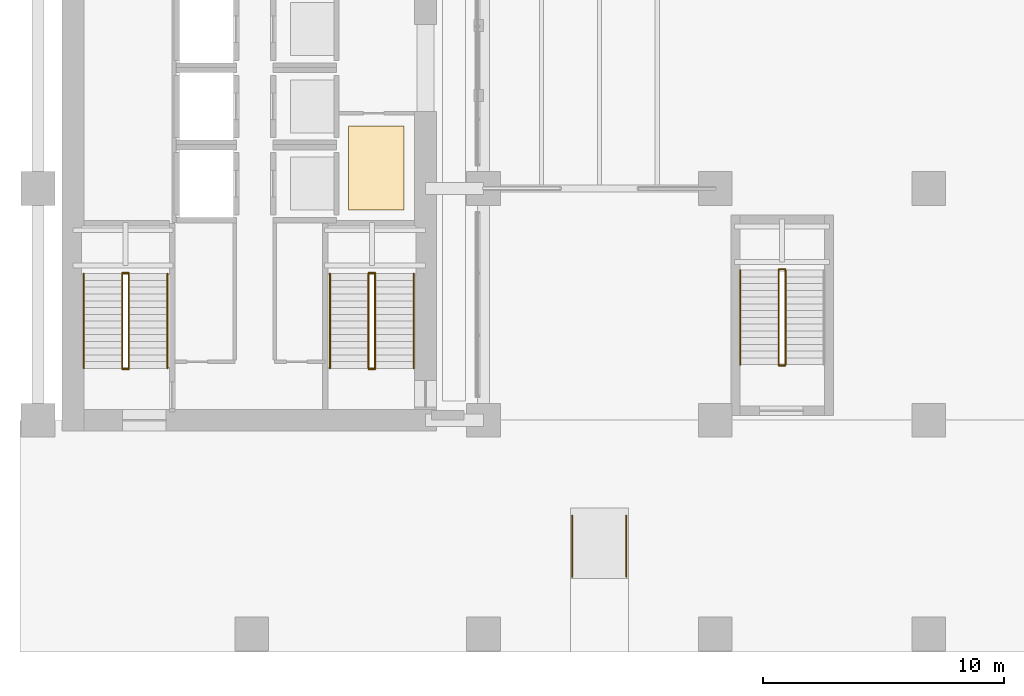
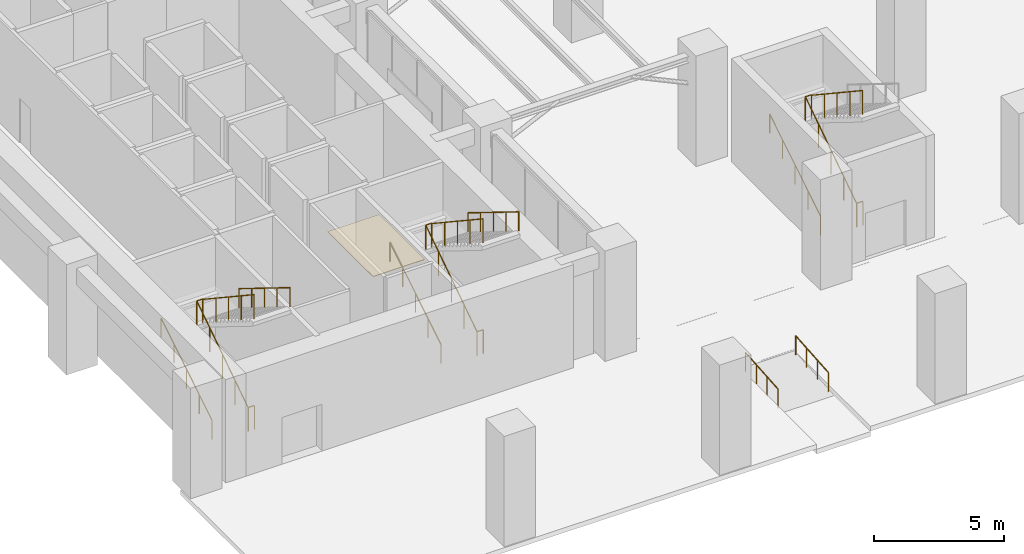
# One storey, part 17 of 24: 19 railings, 1 covering.
"""IFC4 building model written with IfcOpenShell, lengths in metres."""

from ifc_helpers import new_model, si_unit, direction, frame, origin, origin_2d, place, context, subcontext, project, spatial, polyline, circle, outline, extrude, material, layer, layer_set, type_object, element, save


model = new_model("IFC4")

# Units and contexts
model_context = context("Model", 3, precision=1e-05, world=origin(), true_north=direction((0.0, 1.0)))
body_context = subcontext(model_context, "Body", "Model", "MODEL_VIEW")
ifc_project = project(units=[si_unit("LENGTHUNIT", "METRE"), si_unit("AREAUNIT", "SQUARE_METRE"), si_unit("VOLUMEUNIT", "CUBIC_METRE"), si_unit("PLANEANGLEUNIT", "RADIAN"), si_unit("MASSUNIT", "GRAM", prefix="KILO")], contexts=[model_context])

# Site, building, storey
site_placement = place(None, origin())
site = spatial("IfcSite", under=ifc_project, at=site_placement, CompositionType="ELEMENT")
building_placement = place(site_placement, origin())
building = spatial("IfcBuilding", under=site, at=building_placement, Name="Norrvale University Quadrangle", CompositionType="ELEMENT")
storey_placement = place(building_placement, origin())
storey = spatial("IfcBuildingStorey", under=building, at=storey_placement, Name="L00", CompositionType="ELEMENT", Elevation=0.0)

# Covering
ifc_material_1 = material(Name="Polished Terrazzo Flooring")
ifc_layer = layer(ifc_material_1, 0.02490234375, Name="Polished Terrazzo Flooring")
ifc_layer_set = layer_set([ifc_layer], Name="Polished Terrazzo Flooring")
covering_type = type_object("IfcCoveringType", Name="Covering Terrazzo Floor 30", PredefinedType="FLOORING", material=ifc_layer_set)
covering_placement = place(storey_placement, origin())
element("IfcCovering", 1, at=covering_placement, inside=storey, type_object=covering_type, Name="Terrazzo Flooring RM-L00-JAN", PredefinedType="FLOORING", context=body_context, shape_type="SweptSolid", body=[
    extrude(outline(polyline([(13.60009765625, 18.300048828125), (13.60009765625, 21.800048828125), (15.89990234375, 21.800048828125), (15.89990234375, 18.300048828125), (13.60009765625, 18.300048828125)])), origin(), (0.0, 0.0, 1.0), 0.02490234375),
])

# Railings
ifc_material_2 = material(Name="Steel 350W Painted Balustrade", Category="steel")
railing_type_1 = type_object("IfcRailingType", Name="Railing Stair Guard 1100", PredefinedType="GUARDRAIL", material=ifc_material_2)
for number, where, name in (
    (2, (4.239990234375, 11.719970703125, 0.0), "Stair Floor Well Guard ST-01 L00"),
    (3, (4.239990234375, 15.699951171875, 2.60009765625), "Stair Mid-Landing Slot Guard ST-01 L00"),
):
    element("IfcRailing", number, at=place(storey_placement, frame(where)), inside=storey, type_object=railing_type_1, Name=name, PredefinedType="GUARDRAIL", context=body_context, shape_type="SweptSolid", body=[
        extrude(circle(Radius=0.02392578125, at=origin_2d()), frame((0.0, 0.0, 1.1259765625), z_axis=(1.0, 0.0, 0.0), x_axis=(0.0, 1.0, 0.0)), (0.0, 0.0, 1.0), 0.27001953125),
        extrude(circle(Radius=0.02099609375, at=origin_2d()), origin(), (0.0, 0.0, 1.0), 1.101806640625),
        extrude(circle(Radius=0.02099609375, at=origin_2d()), frame((0.27001953125, 0.0, 0.0)), (0.0, 0.0, 1.0), 1.101806640625),
    ])
railing_1_placement = place(storey_placement, frame((4.239990234375, 11.75, 0.0)))
element("IfcRailing", 4, at=railing_1_placement, inside=storey, type_object=railing_type_1, Name="Stair Lower Flight Inner Guard ST-01 L00", PredefinedType="GUARDRAIL", context=body_context, shape_type="SweptSolid", body=[
    extrude(circle(Radius=0.02392578125, at=origin_2d()), frame((0.0, 0.0, 1.1259765625), z_axis=(0.0, 0.833341594215, 0.552758344444), x_axis=(-1.0, 0.0, 0.0)), (0.0, 0.0, 1.0), 4.703857421875),
    extrude(circle(Radius=0.02099609375, at=origin_2d()), origin(), (0.0, 0.0, 1.0), 1.101806640625),
    extrude(circle(Radius=0.02099609375, at=origin_2d()), frame((0.0, 0.97998046875, 0.64990234375)), (0.0, 0.0, 1.0), 1.101806640625),
    extrude(circle(Radius=0.02099609375, at=origin_2d()), frame((0.0, 1.9599609375, 1.300048828125)), (0.0, 0.0, 1.0), 1.101806640625),
    extrude(circle(Radius=0.02099609375, at=origin_2d()), frame((0.0, 2.93994140625, 1.9501953125)), (0.0, 0.0, 1.0), 1.101806640625),
    extrude(circle(Radius=0.02099609375, at=origin_2d()), frame((0.0, 3.919921875, 2.60009765625)), (0.0, 0.0, 1.0), 1.101806640625),
])
railing_2_placement = place(storey_placement, frame((4.510009765625, 15.669921875, 2.60009765625)))
element("IfcRailing", 5, at=railing_2_placement, inside=storey, type_object=railing_type_1, Name="Stair Upper Flight Inner Guard ST-01 L00", PredefinedType="GUARDRAIL", context=body_context, shape_type="SweptSolid", body=[
    extrude(circle(Radius=0.02392578125, at=origin_2d()), frame((0.0, 0.0, 1.1259765625), z_axis=(0.0, -0.833365502166, 0.552722298989), x_axis=(1.0, 0.0, 0.0)), (0.0, 0.0, 1.0), 4.70361328125),
    extrude(circle(Radius=0.02099609375, at=origin_2d()), origin(), (0.0, 0.0, 1.0), 1.101806640625),
    extrude(circle(Radius=0.02099609375, at=origin_2d()), frame((0.0, -0.97998046875, 0.64990234375)), (0.0, 0.0, 1.0), 1.101806640625),
    extrude(circle(Radius=0.02099609375, at=origin_2d()), frame((0.0, -1.9599609375, 1.2998046875)), (0.0, 0.0, 1.0), 1.101806640625),
    extrude(circle(Radius=0.02099609375, at=origin_2d()), frame((0.0, -2.93994140625, 1.949951171875)), (0.0, 0.0, 1.0), 1.101806640625),
    extrude(circle(Radius=0.02099609375, at=origin_2d()), frame((0.0, -3.919921875, 2.599853515625)), (0.0, 0.0, 1.0), 1.101806640625),
])
for number, where, name in (
    (6, (14.43994140625, 11.719970703125, 0.0), "Stair Floor Well Guard ST-03 L00"),
    (7, (14.43994140625, 15.699951171875, 2.60009765625), "Stair Mid-Landing Slot Guard ST-03 L00"),
):
    element("IfcRailing", number, at=place(storey_placement, frame(where)), inside=storey, type_object=railing_type_1, Name=name, PredefinedType="GUARDRAIL", context=body_context, shape_type="SweptSolid", body=[
        extrude(circle(Radius=0.02392578125, at=origin_2d()), frame((0.0, 0.0, 1.1259765625), z_axis=(1.0, 0.0, 0.0), x_axis=(0.0, 1.0, 0.0)), (0.0, 0.0, 1.0), 0.27001953125),
        extrude(circle(Radius=0.02099609375, at=origin_2d()), origin(), (0.0, 0.0, 1.0), 1.101806640625),
        extrude(circle(Radius=0.02099609375, at=origin_2d()), frame((0.27001953125, 0.0, 0.0)), (0.0, 0.0, 1.0), 1.101806640625),
    ])
railing_3_placement = place(storey_placement, frame((14.43994140625, 11.75, 0.0)))
element("IfcRailing", 8, at=railing_3_placement, inside=storey, type_object=railing_type_1, Name="Stair Lower Flight Inner Guard ST-03 L00", PredefinedType="GUARDRAIL", context=body_context, shape_type="SweptSolid", body=[
    extrude(circle(Radius=0.02392578125, at=origin_2d()), frame((0.0, 0.0, 1.1259765625), z_axis=(0.0, 0.833341594215, 0.552758344444), x_axis=(-1.0, 0.0, 0.0)), (0.0, 0.0, 1.0), 4.703857421875),
    extrude(circle(Radius=0.02099609375, at=origin_2d()), origin(), (0.0, 0.0, 1.0), 1.101806640625),
    extrude(circle(Radius=0.02099609375, at=origin_2d()), frame((0.0, 0.97998046875, 0.64990234375)), (0.0, 0.0, 1.0), 1.101806640625),
    extrude(circle(Radius=0.02099609375, at=origin_2d()), frame((0.0, 1.9599609375, 1.300048828125)), (0.0, 0.0, 1.0), 1.101806640625),
    extrude(circle(Radius=0.02099609375, at=origin_2d()), frame((0.0, 2.93994140625, 1.9501953125)), (0.0, 0.0, 1.0), 1.101806640625),
    extrude(circle(Radius=0.02099609375, at=origin_2d()), frame((0.0, 3.919921875, 2.60009765625)), (0.0, 0.0, 1.0), 1.101806640625),
])
railing_4_placement = place(storey_placement, frame((14.7099609375, 15.669921875, 2.60009765625)))
element("IfcRailing", 9, at=railing_4_placement, inside=storey, type_object=railing_type_1, Name="Stair Upper Flight Inner Guard ST-03 L00", PredefinedType="GUARDRAIL", context=body_context, shape_type="SweptSolid", body=[
    extrude(circle(Radius=0.02392578125, at=origin_2d()), frame((0.0, 0.0, 1.1259765625), z_axis=(0.0, -0.833365502166, 0.552722298989), x_axis=(1.0, 0.0, 0.0)), (0.0, 0.0, 1.0), 4.70361328125),
    extrude(circle(Radius=0.02099609375, at=origin_2d()), origin(), (0.0, 0.0, 1.0), 1.101806640625),
    extrude(circle(Radius=0.02099609375, at=origin_2d()), frame((0.0, -0.97998046875, 0.64990234375)), (0.0, 0.0, 1.0), 1.101806640625),
    extrude(circle(Radius=0.02099609375, at=origin_2d()), frame((0.0, -1.9599609375, 1.2998046875)), (0.0, 0.0, 1.0), 1.101806640625),
    extrude(circle(Radius=0.02099609375, at=origin_2d()), frame((0.0, -2.93994140625, 1.949951171875)), (0.0, 0.0, 1.0), 1.101806640625),
    extrude(circle(Radius=0.02099609375, at=origin_2d()), frame((0.0, -3.919921875, 2.599853515625)), (0.0, 0.0, 1.0), 1.101806640625),
])
for number, where, name in (
    (10, (31.43994140625, 11.8701171875, 0.0), "Stair Floor Well Guard ST-04 L00"),
    (11, (31.43994140625, 15.85009765625, 2.60009765625), "Stair Mid-Landing Slot Guard ST-04 L00"),
):
    element("IfcRailing", number, at=place(storey_placement, frame(where)), inside=storey, type_object=railing_type_1, Name=name, PredefinedType="GUARDRAIL", context=body_context, shape_type="SweptSolid", body=[
        extrude(circle(Radius=0.02392578125, at=origin_2d()), frame((0.0, 0.0, 1.1259765625), z_axis=(1.0, 0.0, 0.0), x_axis=(0.0, 1.0, 0.0)), (0.0, 0.0, 1.0), 0.27001953125),
        extrude(circle(Radius=0.02099609375, at=origin_2d()), origin(), (0.0, 0.0, 1.0), 1.101806640625),
        extrude(circle(Radius=0.02099609375, at=origin_2d()), frame((0.27001953125, 0.0, 0.0)), (0.0, 0.0, 1.0), 1.101806640625),
    ])
railing_5_placement = place(storey_placement, frame((31.43994140625, 11.89990234375, 0.0)))
element("IfcRailing", 12, at=railing_5_placement, inside=storey, type_object=railing_type_1, Name="Stair Lower Flight Inner Guard ST-04 L00", PredefinedType="GUARDRAIL", context=body_context, shape_type="SweptSolid", body=[
    extrude(circle(Radius=0.02392578125, at=origin_2d()), frame((0.0, 0.0, 1.1259765625), z_axis=(0.0, 0.833357451474, 0.552734437205), x_axis=(-1.0, 0.0, 0.0)), (0.0, 0.0, 1.0), 4.7041015625),
    extrude(circle(Radius=0.02099609375, at=origin_2d()), origin(), (0.0, 0.0, 1.0), 1.101806640625),
    extrude(circle(Radius=0.02099609375, at=origin_2d()), frame((0.0, 0.97998046875, 0.64990234375)), (0.0, 0.0, 1.0), 1.101806640625),
    extrude(circle(Radius=0.02099609375, at=origin_2d()), frame((0.0, 1.9599609375, 1.300048828125)), (0.0, 0.0, 1.0), 1.101806640625),
    extrude(circle(Radius=0.02099609375, at=origin_2d()), frame((0.0, 2.940185546875, 1.9501953125)), (0.0, 0.0, 1.0), 1.101806640625),
    extrude(circle(Radius=0.02099609375, at=origin_2d()), frame((0.0, 3.920166015625, 2.60009765625)), (0.0, 0.0, 1.0), 1.101806640625),
])
railing_6_placement = place(storey_placement, frame((31.7099609375, 15.820068359375, 2.60009765625)))
element("IfcRailing", 13, at=railing_6_placement, inside=storey, type_object=railing_type_1, Name="Stair Upper Flight Inner Guard ST-04 L00", PredefinedType="GUARDRAIL", context=body_context, shape_type="SweptSolid", body=[
    extrude(circle(Radius=0.02392578125, at=origin_2d()), frame((0.0, 0.0, 1.1259765625), z_axis=(0.0, -0.833381357812, 0.552698391938), x_axis=(1.0, 0.0, 0.0)), (0.0, 0.0, 1.0), 4.703857421875),
    extrude(circle(Radius=0.02099609375, at=origin_2d()), origin(), (0.0, 0.0, 1.0), 1.101806640625),
    extrude(circle(Radius=0.02099609375, at=origin_2d()), frame((0.0, -0.97998046875, 0.64990234375)), (0.0, 0.0, 1.0), 1.101806640625),
    extrude(circle(Radius=0.02099609375, at=origin_2d()), frame((0.0, -1.9599609375, 1.2998046875)), (0.0, 0.0, 1.0), 1.101806640625),
    extrude(circle(Radius=0.02099609375, at=origin_2d()), frame((0.0, -2.940185546875, 1.949951171875)), (0.0, 0.0, 1.0), 1.101806640625),
    extrude(circle(Radius=0.02099609375, at=origin_2d()), frame((0.0, -3.920166015625, 2.599853515625)), (0.0, 0.0, 1.0), 1.101806640625),
])
ifc_material_3 = material(Name="Stainless Steel 316L Handrail", Category="steel")
railing_type_2 = type_object("IfcRailingType", Name="Railing Stair Handrail 920", PredefinedType="HANDRAIL", material=ifc_material_3)
for number, where, name in (
    (14, (22.8798828125, 3.1201171875, -0.219970703125), "Accessible Plaza Ramp Handrail S1-L"),
    (15, (25.1201171875, 3.1201171875, -0.219970703125), "Accessible Plaza Ramp Handrail S1-R"),
):
    element("IfcRailing", number, at=place(storey_placement, frame(where)), inside=storey, type_object=railing_type_2, Name=name, PredefinedType="HANDRAIL", context=body_context, shape_type="SweptSolid", body=[
        extrude(circle(Radius=0.02392578125, at=origin_2d()), frame((0.0, 0.0, 0.89599609375), z_axis=(0.0, 0.996866359815, 0.079104112846), x_axis=(-1.0, 0.0, 0.0)), (0.0, 0.0, 1.0), 2.527587890625),
        extrude(circle(Radius=0.02099609375, at=origin_2d()), origin(), (0.0, 0.0, 1.0), 0.871826171875),
        extrude(circle(Radius=0.02099609375, at=origin_2d()), frame((0.0, 0.83984375, 0.066650390625)), (0.0, 0.0, 1.0), 0.871826171875),
        extrude(circle(Radius=0.02099609375, at=origin_2d()), frame((0.0, 1.679931640625, 0.13330078125)), (0.0, 0.0, 1.0), 0.871826171875),
        extrude(circle(Radius=0.02099609375, at=origin_2d()), frame((0.0, 2.519775390625, 0.199951171875)), (0.0, 0.0, 1.0), 0.871826171875),
    ])
railing_7_placement = place(storey_placement, frame((2.639892578125, 11.75, 0.17333984375)))
element("IfcRailing", 16, at=railing_7_placement, inside=storey, type_object=railing_type_2, Name="Stair Lower Flight Handrail ST-01 L00", PredefinedType="HANDRAIL", context=body_context, shape_type="SweptSolid", body=[
    extrude(circle(Radius=0.02392578125, at=origin_2d()), frame((0.0, 0.0, 0.89599609375), z_axis=(0.0, 0.850251603719, 0.526376491091), x_axis=(-1.0, 0.0, 0.0)), (0.0, 0.0, 1.0), 4.6103515625),
    extrude(circle(Radius=0.02099609375, at=origin_2d()), origin(), (0.0, 0.0, 1.0), 0.871826171875),
    extrude(circle(Radius=0.02099609375, at=origin_2d()), frame((0.0, 0.97998046875, 0.606689453125)), (0.0, 0.0, 1.0), 0.871826171875),
    extrude(circle(Radius=0.02099609375, at=origin_2d()), frame((0.0, 1.9599609375, 1.21337890625)), (0.0, 0.0, 1.0), 0.871826171875),
    extrude(circle(Radius=0.02099609375, at=origin_2d()), frame((0.0, 2.93994140625, 1.820068359375)), (0.0, 0.0, 1.0), 0.871826171875),
    extrude(circle(Radius=0.02099609375, at=origin_2d()), frame((0.0, 3.919921875, 2.4267578125)), (0.0, 0.0, 1.0), 0.871826171875),
])
railing_8_placement = place(storey_placement, frame((6.110107421875, 15.669921875, 2.773193359375)))
element("IfcRailing", 17, at=railing_8_placement, inside=storey, type_object=railing_type_2, Name="Stair Upper Flight Handrail ST-01 L00", PredefinedType="HANDRAIL", context=body_context, shape_type="SweptSolid", body=[
    extrude(circle(Radius=0.02392578125, at=origin_2d()), frame((0.0, 0.0, 0.89599609375), z_axis=(0.0, -0.850251603719, 0.526376491091), x_axis=(1.0, 0.0, 0.0)), (0.0, 0.0, 1.0), 4.6103515625),
    extrude(circle(Radius=0.02099609375, at=origin_2d()), origin(), (0.0, 0.0, 1.0), 0.871826171875),
    extrude(circle(Radius=0.02099609375, at=origin_2d()), frame((0.0, -0.97998046875, 0.606689453125)), (0.0, 0.0, 1.0), 0.871826171875),
    extrude(circle(Radius=0.02099609375, at=origin_2d()), frame((0.0, -1.9599609375, 1.21337890625)), (0.0, 0.0, 1.0), 0.871826171875),
    extrude(circle(Radius=0.02099609375, at=origin_2d()), frame((0.0, -2.93994140625, 1.820068359375)), (0.0, 0.0, 1.0), 0.871826171875),
    extrude(circle(Radius=0.02099609375, at=origin_2d()), frame((0.0, -3.919921875, 2.4267578125)), (0.0, 0.0, 1.0), 0.871826171875),
])
railing_9_placement = place(storey_placement, frame((12.840087890625, 11.75, 0.17333984375)))
element("IfcRailing", 18, at=railing_9_placement, inside=storey, type_object=railing_type_2, Name="Stair Lower Flight Handrail ST-03 L00", PredefinedType="HANDRAIL", context=body_context, shape_type="SweptSolid", body=[
    extrude(circle(Radius=0.02392578125, at=origin_2d()), frame((0.0, 0.0, 0.89599609375), z_axis=(0.0, 0.850251603719, 0.526376491091), x_axis=(-1.0, 0.0, 0.0)), (0.0, 0.0, 1.0), 4.6103515625),
    extrude(circle(Radius=0.02099609375, at=origin_2d()), origin(), (0.0, 0.0, 1.0), 0.871826171875),
    extrude(circle(Radius=0.02099609375, at=origin_2d()), frame((0.0, 0.97998046875, 0.606689453125)), (0.0, 0.0, 1.0), 0.871826171875),
    extrude(circle(Radius=0.02099609375, at=origin_2d()), frame((0.0, 1.9599609375, 1.21337890625)), (0.0, 0.0, 1.0), 0.871826171875),
    extrude(circle(Radius=0.02099609375, at=origin_2d()), frame((0.0, 2.93994140625, 1.820068359375)), (0.0, 0.0, 1.0), 0.871826171875),
    extrude(circle(Radius=0.02099609375, at=origin_2d()), frame((0.0, 3.919921875, 2.4267578125)), (0.0, 0.0, 1.0), 0.871826171875),
])
railing_10_placement = place(storey_placement, frame((16.31005859375, 15.669921875, 2.773193359375)))
element("IfcRailing", 19, at=railing_10_placement, inside=storey, type_object=railing_type_2, Name="Stair Upper Flight Handrail ST-03 L00", PredefinedType="HANDRAIL", context=body_context, shape_type="SweptSolid", body=[
    extrude(circle(Radius=0.02392578125, at=origin_2d()), frame((0.0, 0.0, 0.89599609375), z_axis=(0.0, -0.850251603719, 0.526376491091), x_axis=(1.0, 0.0, 0.0)), (0.0, 0.0, 1.0), 4.6103515625),
    extrude(circle(Radius=0.02099609375, at=origin_2d()), origin(), (0.0, 0.0, 1.0), 0.871826171875),
    extrude(circle(Radius=0.02099609375, at=origin_2d()), frame((0.0, -0.97998046875, 0.606689453125)), (0.0, 0.0, 1.0), 0.871826171875),
    extrude(circle(Radius=0.02099609375, at=origin_2d()), frame((0.0, -1.9599609375, 1.21337890625)), (0.0, 0.0, 1.0), 0.871826171875),
    extrude(circle(Radius=0.02099609375, at=origin_2d()), frame((0.0, -2.93994140625, 1.820068359375)), (0.0, 0.0, 1.0), 0.871826171875),
    extrude(circle(Radius=0.02099609375, at=origin_2d()), frame((0.0, -3.919921875, 2.4267578125)), (0.0, 0.0, 1.0), 0.871826171875),
])
railing_11_placement = place(storey_placement, frame((29.840087890625, 11.89990234375, 0.17333984375)))
element("IfcRailing", 20, at=railing_11_placement, inside=storey, type_object=railing_type_2, Name="Stair Lower Flight Handrail ST-04 L00", PredefinedType="HANDRAIL", context=body_context, shape_type="SweptSolid", body=[
    extrude(circle(Radius=0.02392578125, at=origin_2d()), frame((0.0, 0.0, 0.89599609375), z_axis=(0.0, 0.850266275192, 0.526352791643), x_axis=(-1.0, 0.0, 0.0)), (0.0, 0.0, 1.0), 4.610595703125),
    extrude(circle(Radius=0.02099609375, at=origin_2d()), origin(), (0.0, 0.0, 1.0), 0.871826171875),
    extrude(circle(Radius=0.02099609375, at=origin_2d()), frame((0.0, 0.97998046875, 0.606689453125)), (0.0, 0.0, 1.0), 0.871826171875),
    extrude(circle(Radius=0.02099609375, at=origin_2d()), frame((0.0, 1.9599609375, 1.21337890625)), (0.0, 0.0, 1.0), 0.871826171875),
    extrude(circle(Radius=0.02099609375, at=origin_2d()), frame((0.0, 2.940185546875, 1.820068359375)), (0.0, 0.0, 1.0), 0.871826171875),
    extrude(circle(Radius=0.02099609375, at=origin_2d()), frame((0.0, 3.920166015625, 2.4267578125)), (0.0, 0.0, 1.0), 0.871826171875),
])

save(model, "model.ifc")
